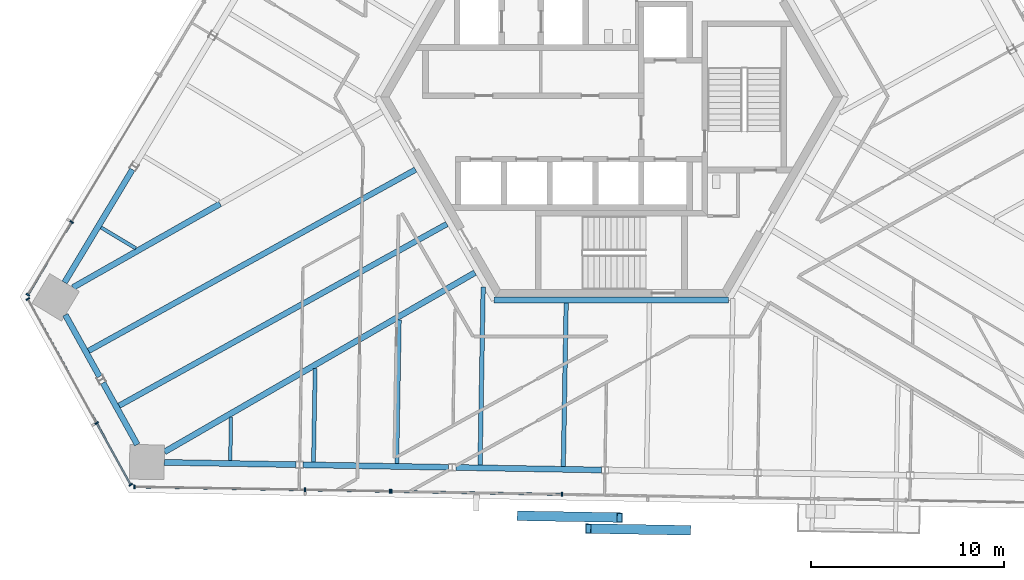
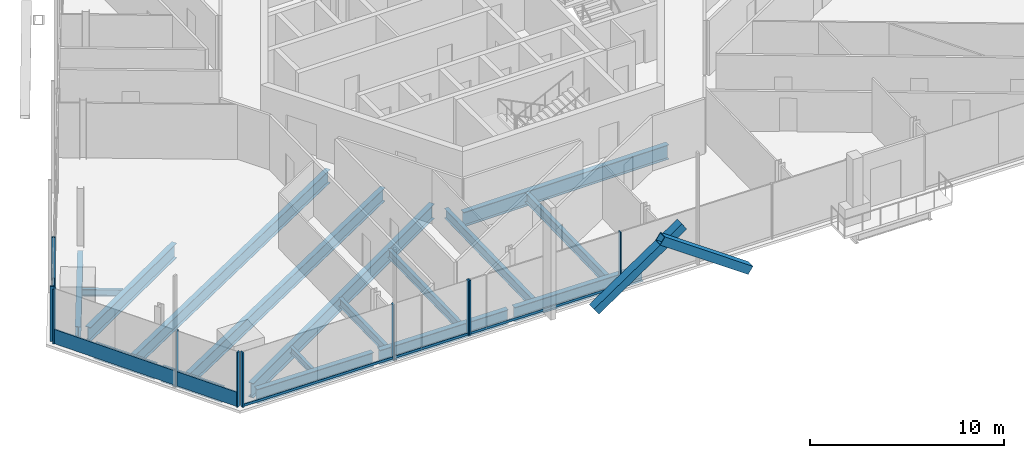
# One storey, part 4 of 20: 18 members, 17 beams, 4 elements without a shape of their own.
"""IFC4 building model written with IfcOpenShell, lengths in metres."""

from ifc_helpers import new_model, si_unit, direction, frame, origin, origin_2d, place, context, subcontext, project, spatial, rectangle, hollow_rectangle, i_section, extrude, source, transform, mapped, material, material_profile, profile_set, type_object, element, aggregate, save


model = new_model("IFC4")

# Units and contexts
model_context = context("Model", 3, precision=1e-05, world=origin(), true_north=direction((0.0, 1.0)))
body_context = subcontext(model_context, "Body", "Model", "MODEL_VIEW")
ifc_project = project(units=[si_unit("LENGTHUNIT", "METRE"), si_unit("AREAUNIT", "SQUARE_METRE"), si_unit("VOLUMEUNIT", "CUBIC_METRE"), si_unit("PLANEANGLEUNIT", "RADIAN"), si_unit("MASSUNIT", "GRAM", prefix="KILO")], contexts=[model_context])

# Site, building, storey
site_placement = place(None, origin())
site = spatial("IfcSite", under=ifc_project, at=site_placement, CompositionType="ELEMENT")
building_placement = place(site_placement, origin())
building = spatial("IfcBuilding", under=site, at=building_placement, Name="Triune Harvest Tower", CompositionType="ELEMENT")
storey_placement = place(building_placement, frame((0.0, 0.0, 194.300048828125)))
storey = spatial("IfcBuildingStorey", under=building, at=storey_placement, Name="L50", CompositionType="ELEMENT", Elevation=194.300048828125)

# Beams
ifc_material_1 = material(Name="Steel ASTM A992 Gr 50", Category="steel")
ifc_material_profile_1 = material_profile(ifc_material_1, i_section(OverallWidth=0.3046875, OverallDepth=0.914306640625, WebThickness=0.0166015625, FlangeThickness=0.02587890625, at=origin_2d()), Name="W36x160")
ifc_profile_set_1 = profile_set([ifc_material_profile_1], Name="Steel ASTM A992 Gr 50")
beam_type_1 = type_object("IfcBeamType", Name="CG-1 Core ring girder W36x160", PredefinedType="BEAM", material=ifc_profile_set_1)
shared_shape_1 = source(origin(), body_context, "Body", "SweptSolid", [
    extrude(i_section(OverallWidth=0.3046875, OverallDepth=0.914306640625, WebThickness=0.0166015625, FlangeThickness=0.02587890625, at=origin_2d()), origin(), (0.0, 0.0, 1.0), 12.17578125),
])
beam_1_placement = place(storey_placement, frame((-6.087890625, -10.544677734375, -0.6171875), z_axis=(1.0, 0.0, 0.0), x_axis=(0.0, 1.0, 0.0)))
element("IfcBeam", 1, at=beam_1_placement, inside=storey, type_object=beam_type_1, Name="beam/L50/CG5", PredefinedType="BEAM", context=body_context, shape_type="MappedRepresentation", body=[
    mapped(shared_shape_1, transform((0.0, 0.0, 0.0), scale=1.0)),
])
ifc_material_2 = material(Name="Steel ASTM A992 Gr 50", Category="steel")
ifc_material_profile_2 = material_profile(ifc_material_2, i_section(OverallWidth=0.3046875, OverallDepth=0.914306640625, WebThickness=0.0166015625, FlangeThickness=0.02587890625, at=origin_2d()), Name="W36x160")
ifc_profile_set_2 = profile_set([ifc_material_profile_2], Name="Steel ASTM A992 Gr 50")
beam_type_2 = type_object("IfcBeamType", Name="SB-1 Spandrel beam W36x160", PredefinedType="SPANDREL", material=ifc_profile_set_2)
shared_shape_2 = source(origin(), body_context, "Body", "SweptSolid", [
    extrude(i_section(OverallWidth=0.3046875, OverallDepth=0.914306640625, WebThickness=0.0166015625, FlangeThickness=0.02587890625, at=origin_2d()), origin(), (0.0, 0.0, 1.0), 6.841796875),
])
for number, where, z_axis, x_axis, name in (
    (2, (-24.86865234375, -3.77001953125, -0.6171875), (-0.515057137128, -0.857155846678, 0.0), (0.857155846678, -0.515057137128, 0.0), "beam/L50/SB14"),
    (3, (-23.21630859375, -18.97265625, -0.6171875), (0.999847751763, -0.01744916312, 0.0), (0.01744916312, 0.999847751763, 0.0), "beam/L50/SB17"),
):
    element("IfcBeam", number, at=place(storey_placement, frame(where, z_axis=z_axis, x_axis=x_axis)), inside=storey, type_object=beam_type_2, Name=name, PredefinedType="SPANDREL", context=body_context, shape_type="MappedRepresentation", body=[
        mapped(shared_shape_2, transform((0.0, 0.0, 0.0), scale=1.0)),
    ])
shared_shape_3 = source(origin(), body_context, "Body", "SweptSolid", [
    extrude(i_section(OverallWidth=0.3046875, OverallDepth=0.914306640625, WebThickness=0.0166015625, FlangeThickness=0.02587890625, at=origin_2d()), origin(), (0.0, 0.0, 1.0), 7.556396484375),
])
for number, where, z_axis, x_axis, name in (
    (4, (-16.0048828125, -19.098388671875, -0.6171875), (0.99984722371, -0.017479394688, 0.0), (0.017479394688, 0.99984722371, 0.0), "beam/L50/SB18"),
    (5, (-8.078857421875, -19.23681640625, -0.6171875), (0.99984722371, -0.017479394688, 0.0), (0.017479394688, 0.99984722371, 0.0), "beam/L50/SB19"),
):
    element("IfcBeam", number, at=place(storey_placement, frame(where, z_axis=z_axis, x_axis=x_axis)), inside=storey, type_object=beam_type_2, Name=name, PredefinedType="SPANDREL", context=body_context, shape_type="MappedRepresentation", body=[
        mapped(shared_shape_3, transform((0.0, 0.0, 0.0), scale=1.0)),
    ])
shared_shape_4 = source(origin(), body_context, "Body", "SweptSolid", [
    extrude(i_section(OverallWidth=0.3046875, OverallDepth=0.914306640625, WebThickness=0.0166015625, FlangeThickness=0.02587890625, at=origin_2d()), origin(), (0.0, 0.0, 1.0), 3.66357421875),
])
beam_2_placement = place(storey_placement, frame((-26.396240234375, -14.84375, -0.6171875), z_axis=(0.484794006312, -0.874628361903, 0.0), x_axis=(0.874628361903, 0.484794006312, 0.0)))
element("IfcBeam", 6, at=beam_2_placement, inside=storey, type_object=beam_type_2, Name="beam/L50/SB16", PredefinedType="SPANDREL", context=body_context, shape_type="MappedRepresentation", body=[
    mapped(shared_shape_4, transform((0.0, 0.0, 0.0), scale=1.0)),
])
shared_shape_5 = source(origin(), body_context, "Body", "SweptSolid", [
    extrude(i_section(OverallWidth=0.3046875, OverallDepth=0.914306640625, WebThickness=0.0166015625, FlangeThickness=0.02587890625, at=origin_2d()), origin(), (0.0, 0.0, 1.0), 3.663818359375),
])
beam_3_placement = place(storey_placement, frame((-28.352294921875, -11.31494140625, -0.6171875), z_axis=(0.484844980499, -0.874600105697, 0.0), x_axis=(0.874600105697, 0.484844980499, 0.0)))
element("IfcBeam", 7, at=beam_3_placement, inside=storey, type_object=beam_type_2, Name="beam/L50/SB15", PredefinedType="SPANDREL", context=body_context, shape_type="MappedRepresentation", body=[
    mapped(shared_shape_5, transform((0.0, 0.0, 0.0), scale=1.0)),
])
ifc_material_3 = material(Name="Steel ASTM A992 Gr 50", Category="steel")
ifc_material_profile_3 = material_profile(ifc_material_3, i_section(OverallWidth=0.307373046875, OverallDepth=0.922119140625, WebThickness=0.018310546875, FlangeThickness=0.030029296875, at=origin_2d()), Name="W36x182")
ifc_profile_set_3 = profile_set([ifc_material_profile_3], Name="Steel ASTM A992 Gr 50")
beam_type_3 = type_object("IfcBeamType", Name="HG-2 Hip girder W36x182", PredefinedType="BEAM", material=ifc_profile_set_3)
shared_shape_6 = source(origin(), body_context, "Body", "SweptSolid", [
    extrude(i_section(OverallWidth=0.307373046875, OverallDepth=0.922119140625, WebThickness=0.018310546875, FlangeThickness=0.030029296875, at=origin_2d()), origin(), (0.0, 0.0, 1.0), 8.79150390625),
])
beam_4_placement = place(storey_placement, frame((-27.958251953125, -9.8955078125, -0.62109375), z_axis=(0.869275144509, 0.494328557883, 0.0), x_axis=(-0.494328557883, 0.869275144509, 0.0)))
element("IfcBeam", 8, at=beam_4_placement, inside=storey, type_object=beam_type_3, Name="beam/L50/HG5", PredefinedType="BEAM", context=body_context, shape_type="MappedRepresentation", body=[
    mapped(shared_shape_6, transform((0.0, 0.0, 0.0), scale=1.0)),
])
shared_shape_7 = source(origin(), body_context, "Body", "SweptSolid", [
    extrude(i_section(OverallWidth=0.307373046875, OverallDepth=0.922119140625, WebThickness=0.018310546875, FlangeThickness=0.030029296875, at=origin_2d()), origin(), (0.0, 0.0, 1.0), 18.616455078125),
])
beam_5_placement = place(storey_placement, frame((-23.206787109375, -18.431884765625, -0.62109375), z_axis=(0.866022449336, 0.50000511722, 0.0), x_axis=(-0.50000511722, 0.866022449336, 0.0)))
element("IfcBeam", 9, at=beam_5_placement, inside=storey, type_object=beam_type_3, Name="beam/L50/HG7", PredefinedType="BEAM", context=body_context, shape_type="MappedRepresentation", body=[
    mapped(shared_shape_7, transform((0.0, 0.0, 0.0), scale=1.0)),
])
ifc_material_4 = material(Name="Steel ASTM A992 Gr 50", Category="steel")
ifc_material_profile_4 = material_profile(ifc_material_4, i_section(OverallWidth=0.22900390625, OverallDepth=0.612060546875, WebThickness=0.011962890625, FlangeThickness=0.01953125, at=origin_2d()), Name="W24x84")
ifc_profile_set_4 = profile_set([ifc_material_profile_4], Name="Steel ASTM A992 Gr 50")
beam_type_4 = type_object("IfcBeamType", Name="JT-3 Floor joist W24x84", PredefinedType="JOIST", material=ifc_profile_set_4)
shared_shape_8 = source(origin(), body_context, "Body", "SweptSolid", [
    extrude(i_section(OverallWidth=0.22900390625, OverallDepth=0.612060546875, WebThickness=0.011962890625, FlangeThickness=0.01953125, at=origin_2d()), origin(), (0.0, 0.0, 1.0), 9.247314453125),
])
beam_6_placement = place(storey_placement, frame((-6.8203125, -19.1064453125, -0.466064453125), z_axis=(0.017451330541, 0.999847713936, 0.0), x_axis=(-0.999847713936, 0.017451330541, 0.0)))
element("IfcBeam", 10, at=beam_6_placement, inside=storey, type_object=beam_type_4, Name="beam/L50/JT28", PredefinedType="JOIST", context=body_context, shape_type="MappedRepresentation", body=[
    mapped(shared_shape_8, transform((0.0, 0.0, 0.0), scale=1.0)),
])
shared_shape_9 = source(origin(), body_context, "Body", "SweptSolid", [
    extrude(i_section(OverallWidth=0.22900390625, OverallDepth=0.612060546875, WebThickness=0.011962890625, FlangeThickness=0.01953125, at=origin_2d()), origin(), (0.0, 0.0, 1.0), 8.486083984375),
])
beam_7_placement = place(storey_placement, frame((-2.4970703125, -19.181884765625, -0.466064453125), z_axis=(0.017434191628, 0.999848012931, 0.0), x_axis=(-0.999848012931, 0.017434191628, 0.0)))
element("IfcBeam", 11, at=beam_7_placement, inside=storey, type_object=beam_type_4, Name="beam/L50/JT29", PredefinedType="JOIST", context=body_context, shape_type="MappedRepresentation", body=[
    mapped(shared_shape_9, transform((0.0, 0.0, 0.0), scale=1.0)),
])
ifc_material_5 = material(Name="Steel ASTM A992 Gr 50", Category="steel")
ifc_material_profile_5 = material_profile(ifc_material_5, i_section(OverallWidth=0.2919921875, OverallDepth=0.8408203125, WebThickness=0.0146484375, FlangeThickness=0.021728515625, at=origin_2d()), Name="W33x130")
ifc_profile_set_5 = profile_set([ifc_material_profile_5], Name="Steel ASTM A992 Gr 50")
beam_type_5 = type_object("IfcBeamType", Name="JT-6 Floor joist W33x130", PredefinedType="JOIST", material=ifc_profile_set_5)
shared_shape_10 = source(origin(), body_context, "Body", "SweptSolid", [
    extrude(i_section(OverallWidth=0.2919921875, OverallDepth=0.8408203125, WebThickness=0.0146484375, FlangeThickness=0.021728515625, at=origin_2d()), origin(), (0.0, 0.0, 1.0), 19.403564453125),
])
beam_8_placement = place(storey_placement, frame((-27.142822265625, -13.1826171875, -0.58056640625), z_axis=(0.874615069694, 0.484817986325, 0.0), x_axis=(-0.484817986325, 0.874615069694, 0.0)))
element("IfcBeam", 12, at=beam_8_placement, inside=storey, type_object=beam_type_5, Name="beam/L50/JT23", PredefinedType="JOIST", context=body_context, shape_type="MappedRepresentation", body=[
    mapped(shared_shape_10, transform((0.0, 0.0, 0.0), scale=1.0)),
])
shared_shape_11 = source(origin(), body_context, "Body", "SweptSolid", [
    extrude(i_section(OverallWidth=0.2919921875, OverallDepth=0.8408203125, WebThickness=0.0146484375, FlangeThickness=0.021728515625, at=origin_2d()), origin(), (0.0, 0.0, 1.0), 19.460205078125),
])
beam_9_placement = place(storey_placement, frame((-25.562744140625, -16.03271484375, -0.58056640625), z_axis=(0.874617874633, 0.484812926161, 0.0), x_axis=(-0.484812926161, 0.874617874633, 0.0)))
element("IfcBeam", 13, at=beam_9_placement, inside=storey, type_object=beam_type_5, Name="beam/L50/JT24", PredefinedType="JOIST", context=body_context, shape_type="MappedRepresentation", body=[
    mapped(shared_shape_11, transform((0.0, 0.0, 0.0), scale=1.0)),
])
ifc_material_6 = material(Name="Steel ASTM A992 Gr 50", Category="steel")
ifc_material_profile_6 = material_profile(ifc_material_6, i_section(OverallWidth=0.2099609375, OverallDepth=0.535888671875, WebThickness=0.010986328125, FlangeThickness=0.017333984375, at=origin_2d()), Name="W21x68")
ifc_profile_set_6 = profile_set([ifc_material_profile_6], Name="Steel ASTM A992 Gr 50")
beam_type_6 = type_object("IfcBeamType", Name="JT-2 Floor joist W21x68", PredefinedType="JOIST", material=ifc_profile_set_6)
shared_shape_12 = source(origin(), body_context, "Body", "SweptSolid", [
    extrude(i_section(OverallWidth=0.2099609375, OverallDepth=0.535888671875, WebThickness=0.010986328125, FlangeThickness=0.017333984375, at=origin_2d()), origin(), (0.0, 0.0, 1.0), 4.864501953125),
])
beam_10_placement = place(storey_placement, frame((-15.467041015625, -18.95556640625, -0.427978515625), z_axis=(0.017465461228, 0.999847467199, 0.0), x_axis=(-0.999847467199, 0.017465461228, 0.0)))
element("IfcBeam", 14, at=beam_10_placement, inside=storey, type_object=beam_type_6, Name="beam/L50/JT26", PredefinedType="JOIST", context=body_context, shape_type="MappedRepresentation", body=[
    mapped(shared_shape_12, transform((0.0, 0.0, 0.0), scale=1.0)),
])
ifc_material_7 = material(Name="Steel ASTM A992 Gr 50", Category="steel")
ifc_material_profile_7 = material_profile(ifc_material_7, i_section(OverallWidth=0.180908203125, OverallDepth=0.41650390625, WebThickness=0.010986328125, FlangeThickness=0.01806640625, at=origin_2d()), Name="W16x57")
ifc_profile_set_7 = profile_set([ifc_material_profile_7], Name="Steel ASTM A992 Gr 50")
beam_type_7 = type_object("IfcBeamType", Name="JT-1 Floor joist W16x57", PredefinedType="JOIST", material=ifc_profile_set_7)
shared_shape_13 = source(origin(), body_context, "Body", "SweptSolid", [
    extrude(i_section(OverallWidth=0.180908203125, OverallDepth=0.41650390625, WebThickness=0.010986328125, FlangeThickness=0.01806640625, at=origin_2d()), origin(), (0.0, 0.0, 1.0), 2.104736328125),
])
beam_11_placement = place(storey_placement, frame((-26.498291015625, -6.7783203125, -0.368408203125), z_axis=(0.857185733632, -0.51500739612, 0.0), x_axis=(0.51500739612, 0.857185733632, 0.0)))
element("IfcBeam", 15, at=beam_11_placement, inside=storey, type_object=beam_type_7, Name="beam/L50/JT22", PredefinedType="JOIST", context=body_context, shape_type="MappedRepresentation", body=[
    mapped(shared_shape_13, transform((0.0, 0.0, 0.0), scale=1.0)),
])
shared_shape_14 = source(origin(), body_context, "Body", "SweptSolid", [
    extrude(i_section(OverallWidth=0.180908203125, OverallDepth=0.41650390625, WebThickness=0.010986328125, FlangeThickness=0.01806640625, at=origin_2d()), origin(), (0.0, 0.0, 1.0), 2.26611328125),
])
beam_12_placement = place(storey_placement, frame((-19.790283203125, -18.8798828125, -0.368408203125), z_axis=(0.017452357155, 0.999847696017, 0.0), x_axis=(-0.999847696017, 0.017452357155, 0.0)))
element("IfcBeam", 16, at=beam_12_placement, inside=storey, type_object=beam_type_7, Name="beam/L50/JT25", PredefinedType="JOIST", context=body_context, shape_type="MappedRepresentation", body=[
    mapped(shared_shape_14, transform((0.0, 0.0, 0.0), scale=1.0)),
])
shared_shape_15 = source(origin(), body_context, "Body", "SweptSolid", [
    extrude(i_section(OverallWidth=0.2099609375, OverallDepth=0.535888671875, WebThickness=0.010986328125, FlangeThickness=0.017333984375, at=origin_2d()), origin(), (0.0, 0.0, 1.0), 7.462890625),
])
beam_13_placement = place(storey_placement, frame((-11.143798828125, -19.031005859375, -0.427978515625), z_axis=(0.017469440512, 0.99984739768, 0.0), x_axis=(-0.99984739768, 0.017469440512, 0.0)))
element("IfcBeam", 17, at=beam_13_placement, inside=storey, type_object=beam_type_6, Name="beam/L50/JT27", PredefinedType="JOIST", context=body_context, shape_type="MappedRepresentation", body=[
    mapped(shared_shape_15, transform((0.0, 0.0, 0.0), scale=1.0)),
])

# Members
ifc_material_8 = material(Name="Steel ASTM A572 Gr 50", Category="steel")
ifc_material_profile_8 = material_profile(ifc_material_8, hollow_rectangle(XDim=0.5, YDim=0.5, WallThickness=0.030029296875, at=origin_2d()), Name="Box 500x500x30")
ifc_profile_set_8 = profile_set([ifc_material_profile_8], Name="Steel ASTM A572 Gr 50")
member_type_1 = type_object("IfcMemberType", Name="BR-3 Brace Box 500x500x30", PredefinedType="BRACE", material=ifc_profile_set_8)
shared_shape_16 = source(origin(), body_context, "Body", "SweptSolid", [
    extrude(hollow_rectangle(XDim=0.5, YDim=0.5, WallThickness=0.030029296875, at=origin_2d()), origin(), (0.0, 0.0, 1.0), 6.302734375),
])
member_1_placement = place(storey_placement, frame((3.97412109375, -22.499755859375, 0.0), z_axis=(-0.820720607843, 0.014332009859, 0.57114996048), x_axis=(-0.017460052757, -0.99984756166, 0.0)))
element("IfcMember", 18, at=member_1_placement, inside=storey, type_object=member_type_1, Name="brace/B5-F5/d2/5", PredefinedType="BRACE", context=body_context, shape_type="MappedRepresentation", body=[
    mapped(shared_shape_16, transform((0.0, 0.0, 0.0), scale=1.0)),
])
shared_shape_17 = source(origin(), body_context, "Body", "SweptSolid", [
    extrude(hollow_rectangle(XDim=0.5, YDim=0.5, WallThickness=0.030029296875, at=origin_2d()), origin(), (0.0, 0.0, 1.0), 6.302978515625),
])
member_2_placement = place(storey_placement, frame((-4.74658203125, -21.74755859375, 0.0), z_axis=(0.820733251082, -0.014331554245, 0.571131803634), x_axis=(0.017459228993, 0.999847576045, 0.0)))
element("IfcMember", 19, at=member_2_placement, inside=storey, type_object=member_type_1, Name="brace/B5-F5/d1/5", PredefinedType="BRACE", context=body_context, shape_type="MappedRepresentation", body=[
    mapped(shared_shape_17, transform((0.0, 0.0, 0.0), scale=1.0)),
])

# Curtain wall, members
ifc_material_9 = material(Name="Aluminium bronze anodised", Category="aluminium")
curtain_wall_type_1 = type_object("IfcCurtainWallType", Name="CW-1 Tower stick curtain wall", PredefinedType="NOTDEFINED", material=ifc_material_9)
curtain_wall_1_placement = place(storey_placement, origin())
curtain_wall_1 = element("IfcCurtainWall", 20, at=curtain_wall_1_placement, inside=storey, type_object=curtain_wall_type_1, Name="CW-1 B5-F3 L50 run 2001")
ifc_material_10 = material(Name="Aluminium bronze anodised", Category="aluminium")
ifc_material_profile_9 = material_profile(ifc_material_10, rectangle(XDim=0.199951171875, YDim=0.074951171875, at=origin_2d()), Name="MU-1 mullion 75 x 200")
ifc_profile_set_9 = profile_set([ifc_material_profile_9], Name="Aluminium bronze anodised")
member_type_2 = type_object("IfcMemberType", Name="MU-1 mullion 75 x 200", PredefinedType="MULLION", material=ifc_profile_set_9)
shared_shape_18 = source(origin(), body_context, "Body", "SweptSolid", [
    extrude(rectangle(XDim=0.199951171875, YDim=0.074951171875, at=origin_2d()), origin(), (0.0, 0.0, 1.0), 3.43994140625),
])
member_3_placement = place(storey_placement, frame((-28.02392578125, -6.4931640625, 0.0), z_axis=(0.0, 0.0, 1.0), x_axis=(0.857169345736, -0.515034671387, 0.0)))
member_3 = element("IfcMember", 21, at=member_3_placement, type_object=member_type_2, Name="CW-1 mullion B5-F3 2001.3", PredefinedType="MULLION", context=body_context, shape_type="MappedRepresentation", body=[
    mapped(shared_shape_18, transform((0.0, 0.0, 0.0), scale=1.0)),
])
member_4_placement = place(storey_placement, frame((-30.293701171875, -10.2705078125, 0.0), z_axis=(0.0, 0.0, 1.0), x_axis=(0.857169345736, -0.515034671387, 0.0)))
member_4 = element("IfcMember", 22, at=member_4_placement, type_object=member_type_2, Name="CW-1 mullion B5-F3 2001.4", PredefinedType="MULLION", context=body_context, shape_type="MappedRepresentation", body=[
    mapped(shared_shape_18, transform((0.0, 0.0, 0.0), scale=1.0)),
])

curtain_wall_2_placement = place(storey_placement, origin())
curtain_wall_2 = element("IfcCurtainWall", 23, at=curtain_wall_2_placement, inside=storey, type_object=curtain_wall_type_1, Name="CW-1 B5-F4 L50 run 1")
member_5_placement = place(storey_placement, frame((-30.297607421875, -10.4912109375, 0.0), z_axis=(0.0, 0.0, 1.0), x_axis=(0.874623958582, 0.484801950362, 0.0)))
member_5 = element("IfcMember", 24, at=member_5_placement, type_object=member_type_2, Name="CW-1 mullion B5-F4 1.1", PredefinedType="MULLION", context=body_context, shape_type="MappedRepresentation", body=[
    mapped(shared_shape_18, transform((0.0, 0.0, 0.0), scale=1.0)),
])
member_6_placement = place(storey_placement, frame((-26.72802734375, -16.930908203125, 0.0), z_axis=(0.0, 0.0, 1.0), x_axis=(0.874623958582, 0.484801950362, 0.0)))
member_6 = element("IfcMember", 25, at=member_6_placement, type_object=member_type_2, Name="CW-1 mullion B5-F4 1.3", PredefinedType="MULLION", context=body_context, shape_type="MappedRepresentation", body=[
    mapped(shared_shape_18, transform((0.0, 0.0, 0.0), scale=1.0)),
])
member_7_placement = place(storey_placement, frame((-24.952392578125, -20.13427734375, 0.0), z_axis=(0.0, 0.0, 1.0), x_axis=(0.874623958582, 0.484801950362, 0.0)))
member_7 = element("IfcMember", 26, at=member_7_placement, type_object=member_type_2, Name="CW-1 mullion B5-F4 1.4", PredefinedType="MULLION", context=body_context, shape_type="MappedRepresentation", body=[
    mapped(shared_shape_18, transform((0.0, 0.0, 0.0), scale=1.0)),
])

ifc_material_11 = material(Name="Aluminium bronze anodised", Category="aluminium")
curtain_wall_type_2 = type_object("IfcCurtainWallType", Name="CW-6 Balcony window wall", PredefinedType="NOTDEFINED", material=ifc_material_11)
curtain_wall_3_placement = place(storey_placement, origin())
curtain_wall_3 = element("IfcCurtainWall", 27, at=curtain_wall_3_placement, inside=storey, type_object=curtain_wall_type_2, Name="CW-6 B5-F5 L50 run 1")
ifc_material_12 = material(Name="Aluminium bronze anodised", Category="aluminium")
ifc_material_profile_10 = material_profile(ifc_material_12, rectangle(XDim=0.199951171875, YDim=0.074951171875, at=origin_2d()), Name="MU-6 mullion 75 x 200")
ifc_profile_set_10 = profile_set([ifc_material_profile_10], Name="Aluminium bronze anodised")
member_type_3 = type_object("IfcMemberType", Name="MU-6 mullion 75 x 200", PredefinedType="MULLION", material=ifc_profile_set_10)
shared_shape_19 = source(origin(), body_context, "Body", "SweptSolid", [
    extrude(rectangle(XDim=0.199951171875, YDim=0.074951171875, at=origin_2d()), origin(), (0.0, 0.0, 1.0), 3.43994140625),
])
member_8_placement = place(storey_placement, frame((-24.76318359375, -20.248046875, 0.0), z_axis=(0.0, 0.0, 1.0), x_axis=(0.017450314612, 0.999847731667, 0.0)))
member_8 = element("IfcMember", 28, at=member_8_placement, type_object=member_type_3, Name="CW-6 mullion B5-F5 1.1", PredefinedType="MULLION", context=body_context, shape_type="MappedRepresentation", body=[
    mapped(shared_shape_19, transform((0.0, 0.0, 0.0), scale=1.0)),
])
member_9_placement = place(storey_placement, frame((-15.9033203125, -20.402587890625, 0.0), z_axis=(0.0, 0.0, 1.0), x_axis=(0.017450314612, 0.999847731667, 0.0)))
member_9 = element("IfcMember", 29, at=member_9_placement, type_object=member_type_3, Name="CW-6 mullion B5-F5 1.3", PredefinedType="MULLION", context=body_context, shape_type="MappedRepresentation", body=[
    mapped(shared_shape_19, transform((0.0, 0.0, 0.0), scale=1.0)),
])
member_10_placement = place(storey_placement, frame((-11.491943359375, -20.479736328125, 0.0), z_axis=(0.0, 0.0, 1.0), x_axis=(0.017450314612, 0.999847731667, 0.0)))
member_10 = element("IfcMember", 30, at=member_10_placement, type_object=member_type_3, Name="CW-6 mullion B5-F5 1.4", PredefinedType="MULLION", context=body_context, shape_type="MappedRepresentation", body=[
    mapped(shared_shape_19, transform((0.0, 0.0, 0.0), scale=1.0)),
])

ifc_material_13 = material(Name="Aluminium bronze anodised", Category="aluminium")
curtain_wall_type_3 = type_object("IfcCurtainWallType", Name="CW-10 Balcony window wall with insulated spandrel infill", PredefinedType="NOTDEFINED", material=ifc_material_13)
curtain_wall_4_placement = place(storey_placement, origin())
curtain_wall_4 = element("IfcCurtainWall", 31, at=curtain_wall_4_placement, inside=storey, type_object=curtain_wall_type_3, Name="CW-10 B5-F5 L50 run 1001")
member_11_placement = place(storey_placement, frame((-11.4169921875, -20.48095703125, 0.0), z_axis=(0.0, 0.0, 1.0), x_axis=(0.017452463274, 0.999847694164, 0.0)))
member_11 = element("IfcMember", 32, at=member_11_placement, type_object=member_type_3, Name="CW-10 mullion B5-F5 1001.1", PredefinedType="MULLION", context=body_context, shape_type="MappedRepresentation", body=[
    mapped(shared_shape_19, transform((0.0, 0.0, 0.0), scale=1.0)),
])
member_12_placement = place(storey_placement, frame((-2.55712890625, -20.635498046875, 0.0), z_axis=(0.0, 0.0, 1.0), x_axis=(0.017452463274, 0.999847694164, 0.0)))
member_12 = element("IfcMember", 33, at=member_12_placement, type_object=member_type_3, Name="CW-10 mullion B5-F5 1001.3", PredefinedType="MULLION", context=body_context, shape_type="MappedRepresentation", body=[
    mapped(shared_shape_19, transform((0.0, 0.0, 0.0), scale=1.0)),
])

# Member
ifc_material_14 = material(Name="Aluminium bronze anodised", Category="aluminium")
ifc_material_profile_11 = material_profile(ifc_material_14, rectangle(XDim=0.090087890625, YDim=0.89990234375, at=origin_2d()), Name="TR-1 transom 90 x 900")
ifc_profile_set_11 = profile_set([ifc_material_profile_11], Name="Aluminium bronze anodised")
member_type_4 = type_object("IfcMemberType", Name="TR-1 transom 90 x 900", PredefinedType="USERDEFINED", material=ifc_profile_set_11)
shared_shape_20 = source(origin(), body_context, "Body", "SweptSolid", [
    extrude(rectangle(XDim=0.090087890625, YDim=0.89990234375, at=origin_2d()), origin(), (0.0, 0.0, 1.0), 7.28759765625),
])
member_13_placement = place(storey_placement, frame((-30.279296875, -10.524169921875, 0.449951171875), z_axis=(0.484786537831, -0.874632501533, 0.0), x_axis=(0.874632501533, 0.484786537831, 0.0)))
member_13 = element("IfcMember", 34, at=member_13_placement, type_object=member_type_4, Name="CW-1 transom B5-F4 1.1", ObjectType="TRANSOM", PredefinedType="USERDEFINED", context=body_context, shape_type="MappedRepresentation", body=[
    mapped(shared_shape_20, transform((0.0, 0.0, 0.0), scale=1.0)),
])

shared_shape_21 = source(origin(), body_context, "Body", "SweptSolid", [
    extrude(rectangle(XDim=0.090087890625, YDim=0.89990234375, at=origin_2d()), origin(), (0.0, 0.0, 1.0), 3.587646484375),
])
member_14_placement = place(storey_placement, frame((-26.7099609375, -16.963623046875, 0.449951171875), z_axis=(0.484781810323, -0.874635121854, 0.0), x_axis=(0.874635121854, 0.484781810323, 0.0)))
member_14 = element("IfcMember", 35, at=member_14_placement, type_object=member_type_4, Name="CW-1 transom B5-F4 1.2", ObjectType="TRANSOM", PredefinedType="USERDEFINED", context=body_context, shape_type="MappedRepresentation", body=[
    mapped(shared_shape_21, transform((0.0, 0.0, 0.0), scale=1.0)),
])

aggregate(curtain_wall_2, [member_5, member_6, member_7, member_13, member_14])

shared_shape_22 = source(origin(), body_context, "Body", "SweptSolid", [
    extrude(rectangle(XDim=0.090087890625, YDim=0.89990234375, at=origin_2d()), origin(), (0.0, 0.0, 1.0), 4.331787109375),
])
member_15_placement = place(storey_placement, frame((-28.043212890625, -6.525390625, 0.449951171875), z_axis=(-0.515084110482, -0.857139638057, 0.0), x_axis=(0.857139638057, -0.515084110482, 0.0)))
member_15 = element("IfcMember", 36, at=member_15_placement, type_object=member_type_4, Name="CW-1 transom B5-F3 2001.2", ObjectType="TRANSOM", PredefinedType="USERDEFINED", context=body_context, shape_type="MappedRepresentation", body=[
    mapped(shared_shape_22, transform((0.0, 0.0, 0.0), scale=1.0)),
])

aggregate(curtain_wall_1, [member_3, member_4, member_15])

ifc_material_15 = material(Name="Aluminium bronze anodised", Category="aluminium")
ifc_material_profile_12 = material_profile(ifc_material_15, rectangle(XDim=0.090087890625, YDim=0.14990234375, at=origin_2d()), Name="TR-6 transom 90 x 150")
ifc_profile_set_12 = profile_set([ifc_material_profile_12], Name="Aluminium bronze anodised")
member_type_5 = type_object("IfcMemberType", Name="TR-6 transom 90 x 150", PredefinedType="USERDEFINED", material=ifc_profile_set_12)
shared_shape_23 = source(origin(), body_context, "Body", "SweptSolid", [
    extrude(rectangle(XDim=0.090087890625, YDim=0.14990234375, at=origin_2d()), origin(), (0.0, 0.0, 1.0), 8.7861328125),
])
member_16_placement = place(storey_placement, frame((-24.7255859375, -20.248779296875, 0.074951171875), z_axis=(0.999847736659, -0.017450028586, 0.0), x_axis=(0.017450028586, 0.999847736659, 0.0)))
member_16 = element("IfcMember", 37, at=member_16_placement, type_object=member_type_5, Name="CW-6 transom B5-F5 1.1", ObjectType="TRANSOM", PredefinedType="USERDEFINED", context=body_context, shape_type="MappedRepresentation", body=[
    mapped(shared_shape_23, transform((0.0, 0.0, 0.0), scale=1.0)),
])

member_17_placement = place(storey_placement, frame((-11.37939453125, -20.481689453125, 0.074951171875), z_axis=(0.999847736659, -0.017450028586, 0.0), x_axis=(0.017450028586, 0.999847736659, 0.0)))
member_17 = element("IfcMember", 38, at=member_17_placement, type_object=member_type_5, Name="CW-10 transom B5-F5 1001.1", ObjectType="TRANSOM", PredefinedType="USERDEFINED", context=body_context, shape_type="MappedRepresentation", body=[
    mapped(shared_shape_23, transform((0.0, 0.0, 0.0), scale=1.0)),
])

aggregate(curtain_wall_4, [member_11, member_12, member_17])

shared_shape_24 = source(origin(), body_context, "Body", "SweptSolid", [
    extrude(rectangle(XDim=0.090087890625, YDim=0.14990234375, at=origin_2d()), origin(), (0.0, 0.0, 1.0), 4.3369140625),
])
member_18_placement = place(storey_placement, frame((-15.86572265625, -20.4033203125, 0.074951171875), z_axis=(0.999847714221, -0.017451314194, 0.0), x_axis=(0.017451314194, 0.999847714221, 0.0)))
member_18 = element("IfcMember", 39, at=member_18_placement, type_object=member_type_5, Name="CW-6 transom B5-F5 1.2", ObjectType="TRANSOM", PredefinedType="USERDEFINED", context=body_context, shape_type="MappedRepresentation", body=[
    mapped(shared_shape_24, transform((0.0, 0.0, 0.0), scale=1.0)),
])

aggregate(curtain_wall_3, [member_8, member_9, member_10, member_16, member_18])

save(model, "model.ifc")
